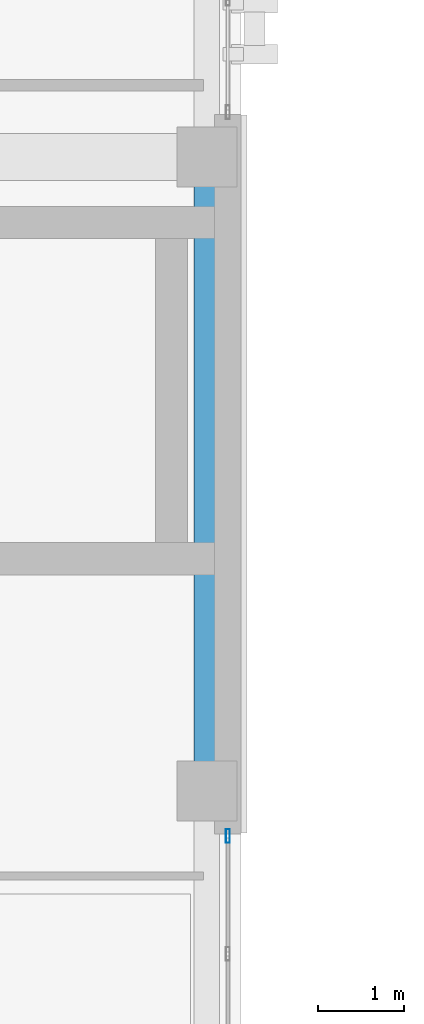
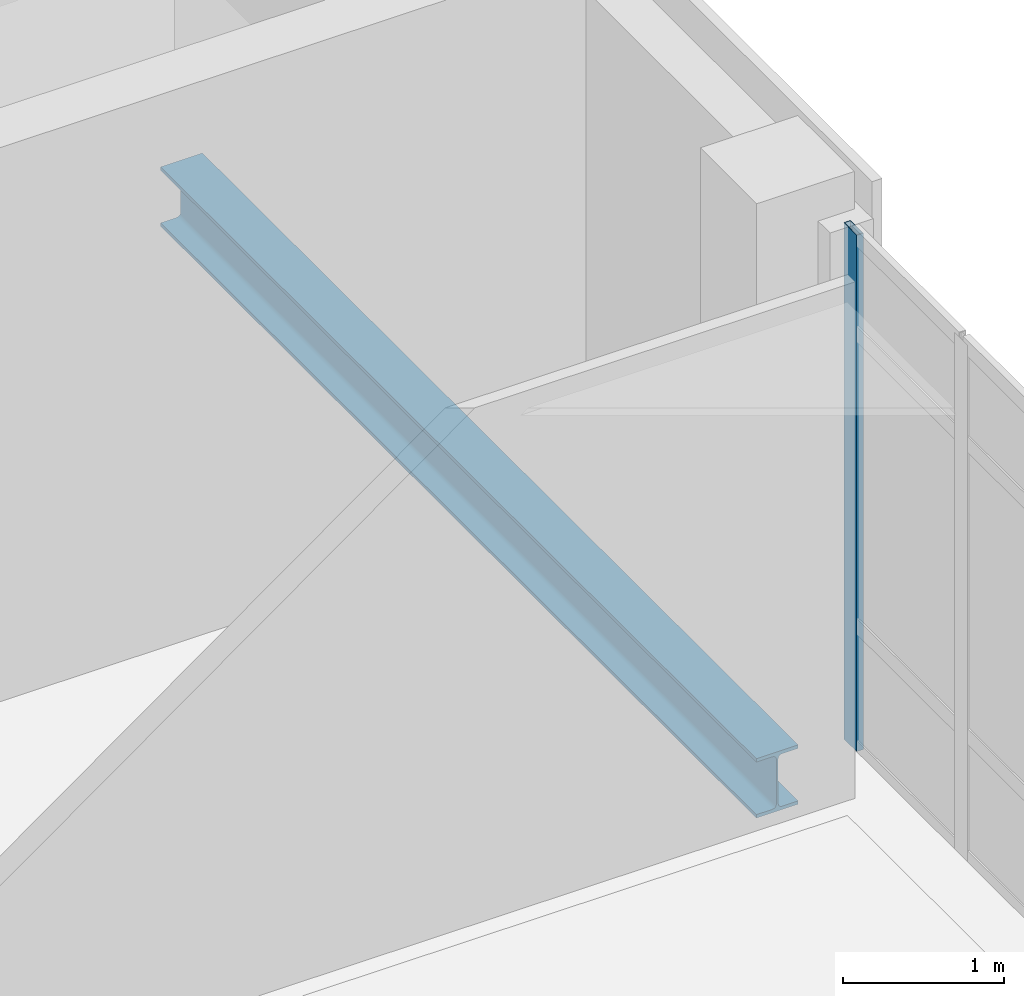
# One storey, part 106 of 193: 1 beam, 1 member, 1 element without a shape of its own.
"""IFC4 building model written with IfcOpenShell, lengths in metres."""

from ifc_helpers import new_model, si_unit, direction, frame, origin, origin_2d, place, context, subcontext, project, spatial, hollow_rectangle, i_section, extrude, material, layer, layer_set, material_profile, profile_set, type_object, element, aggregate, save


model = new_model("IFC4")

# Units and contexts
model_context = context("Model", 3, precision=1e-05, world=origin(), true_north=direction((0.0, 1.0)))
body_context = subcontext(model_context, "Body", "Model", "MODEL_VIEW")
ifc_project = project(units=[si_unit("LENGTHUNIT", "METRE"), si_unit("AREAUNIT", "SQUARE_METRE"), si_unit("VOLUMEUNIT", "CUBIC_METRE"), si_unit("PLANEANGLEUNIT", "RADIAN"), si_unit("MASSUNIT", "GRAM", prefix="KILO")], contexts=[model_context])

# Site, building, storey
site_placement = place(None, origin())
site = spatial("IfcSite", under=ifc_project, at=site_placement, CompositionType="ELEMENT")
building_placement = place(site_placement, origin())
building = spatial("IfcBuilding", under=site, at=building_placement, Name="Qalavern Law Courts", CompositionType="ELEMENT")
storey_placement = place(building_placement, frame((0.0, 0.0, 10.199951171875)))
storey = spatial("IfcBuildingStorey", under=building, at=storey_placement, Name="L02", CompositionType="ELEMENT", Elevation=10.199951171875)

# Curtain wall, member
ifc_material_1 = material(Name="Anodised aluminium and insulated glazing", Category="aluminium")
ifc_layer = layer(ifc_material_1, 0.172119140625)
ifc_layer_set = layer_set([ifc_layer], Name="Anodised aluminium and insulated glazing")
curtain_wall_type = type_object("IfcCurtainWallType", Name="ENV-CW-COURT", PredefinedType="USERDEFINED", material=ifc_layer_set)
curtain_wall_placement = place(storey_placement, origin())
curtain_wall = element("IfcCurtainWall", 1, at=curtain_wall_placement, inside=storey, type_object=curtain_wall_type, Name="V4 unitised curtain wall L02 east 3", ObjectType="UNITISED CURTAIN WALL", PredefinedType="USERDEFINED")
ifc_material_2 = material(Name="Anodised aluminium", Category="aluminium")
ifc_material_profile_1 = material_profile(ifc_material_2, hollow_rectangle(XDim=0.048095703125, YDim=0.159912109375, WallThickness=0.00390625, at=origin_2d()), Name="ALU MULLION 48x160")
ifc_profile_set_1 = profile_set([ifc_material_profile_1], Name="Anodised aluminium")
member_type = type_object("IfcMemberType", Name="ENV-CWM-48x160", PredefinedType="MULLION", material=ifc_profile_set_1)
member_placement = place(storey_placement, frame((106.64501953125, 64.8759765625, 0.0), z_axis=(0.0, 0.0, 1.0), x_axis=(-1.0, 0.0, 0.0)))
member = element("IfcMember", 2, at=member_placement, type_object=member_type, Name="CW-03 mullion 6", PredefinedType="MULLION", context=body_context, shape_type="SweptSolid", body=[
    extrude(hollow_rectangle(XDim=0.048095703125, YDim=0.159912109375, WallThickness=0.00390625, at=origin_2d()), origin(), (0.0, 0.0, 1.0), 3.9150390625),
])
aggregate(curtain_wall, [member])

# Beam
ifc_material_3 = material(Name="Steel S355", Category="steel")
ifc_material_profile_2 = material_profile(ifc_material_3, i_section(OverallWidth=0.300048828125, OverallDepth=0.449951171875, WebThickness=0.013916015625, FlangeThickness=0.02587890625, FilletRadius=0.027099609375, at=origin_2d()), Name="HEB 450")
ifc_profile_set_2 = profile_set([ifc_material_profile_2], Name="Steel S355")
beam_type = type_object("IfcBeamType", Name="STR-SP-HEB450", PredefinedType="SPANDREL", material=ifc_profile_set_2)
beam_placement = place(storey_placement, frame((106.39990234375, 65.39990234375, -0.514892578125), z_axis=(0.0, 1.0, 0.0), x_axis=(-1.0, 0.0, 0.0)))
element("IfcBeam", 3, at=beam_placement, inside=storey, type_object=beam_type, Name="V4 Y-beam 3-4 L02", PredefinedType="SPANDREL", context=body_context, shape_type="SweptSolid", body=[
    extrude(i_section(OverallWidth=0.300048828125, OverallDepth=0.449951171875, WebThickness=0.013916015625, FlangeThickness=0.02587890625, FilletRadius=0.027099609375, at=origin_2d()), origin(), (0.0, 0.0, 1.0), 7.400146484375),
])

save(model, "model.ifc")
